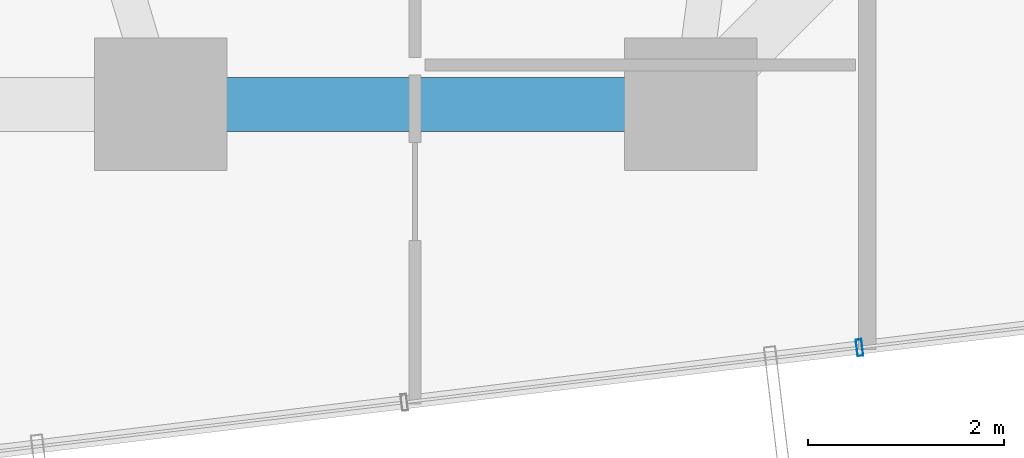
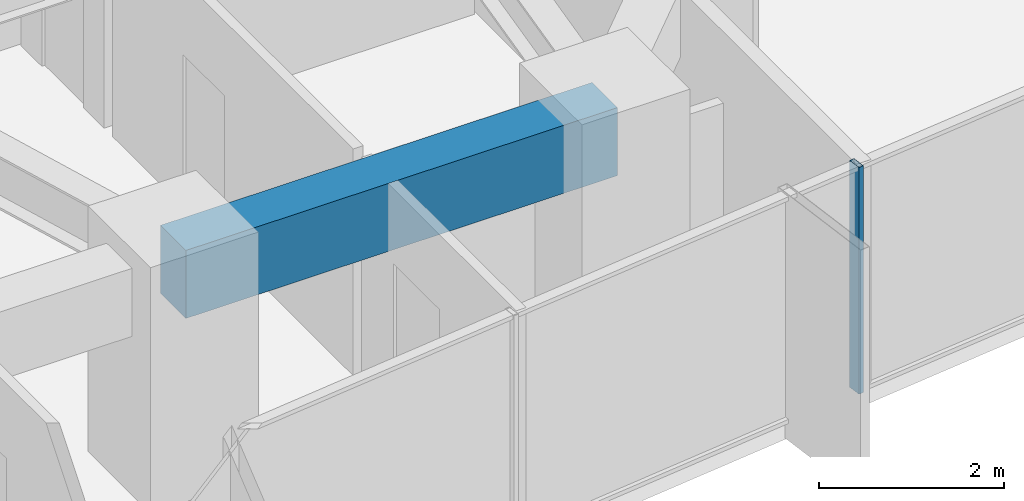
# One storey, part 8 of 37: 1 beam, 1 member, 1 element without a shape of its own.
"""IFC4 building model written with IfcOpenShell, lengths in metres."""

from ifc_helpers import new_model, si_unit, direction, frame, origin, origin_2d, place, context, subcontext, project, spatial, rectangle, hollow_rectangle, extrude, source, transform, mapped, material, layer, layer_set, material_profile, profile_set, type_object, element, aggregate, save


model = new_model("IFC4")

# Units and contexts
model_context = context("Model", 3, precision=1e-05, world=origin(), true_north=direction((0.0, 1.0)))
body_context = subcontext(model_context, "Body", "Model", "MODEL_VIEW")
ifc_project = project(units=[si_unit("LENGTHUNIT", "METRE"), si_unit("AREAUNIT", "SQUARE_METRE"), si_unit("VOLUMEUNIT", "CUBIC_METRE"), si_unit("PLANEANGLEUNIT", "RADIAN"), si_unit("MASSUNIT", "GRAM", prefix="KILO")], contexts=[model_context])

# Site, building, storey
site_placement = place(None, origin())
site = spatial("IfcSite", under=ifc_project, at=site_placement, CompositionType="ELEMENT")
building_placement = place(site_placement, origin())
building = spatial("IfcBuilding", under=site, at=building_placement, Name="Veraguas Prism Commons", CompositionType="ELEMENT")
storey_placement = place(building_placement, frame((0.0, 0.0, 46.800048828125)))
storey = spatial("IfcBuildingStorey", under=building, at=storey_placement, Name="L12", CompositionType="ELEMENT", Elevation=46.800048828125)

# Beam
ifc_material_1 = material(Name="Concrete C50/60", Category="concrete")
ifc_material_profile_1 = material_profile(ifc_material_1, rectangle(XDim=0.550048828125, YDim=0.89990234375, at=origin_2d()), Name="RC550X900")
ifc_profile_set_1 = profile_set([ifc_material_profile_1], Name="Concrete C50/60")
beam_type = type_object("IfcBeamType", Name="Perimeter Spandrel Lower RC 550x900", PredefinedType="SPANDREL", material=ifc_profile_set_1)
beam_placement = place(storey_placement, frame((24.0, 6.39990234375, 2.550048828125), z_axis=(1.0, 0.0, 0.0), x_axis=(0.0, 1.0, 0.0)))
element("IfcBeam", 1, at=beam_placement, inside=storey, type_object=beam_type, Name="Perimeter Spandrel Beam L12-SP11", PredefinedType="SPANDREL", context=body_context, shape_type="SweptSolid", body=[
    extrude(rectangle(XDim=0.550048828125, YDim=0.89990234375, at=origin_2d()), origin(), (0.0, 0.0, 1.0), 5.39990234375),
])

# Curtain wall, member
ifc_material_2 = material(Name="Anodised aluminium EN AW-6063 T6", Category="aluminium")
ifc_layer = layer(ifc_material_2, 0.169921875, Name="Unitised Flush Curtain Wall Zone 1", Category="aluminium")
ifc_layer_set = layer_set([ifc_layer], Name="Anodised aluminium EN AW-6063 T6")
curtain_wall_type = type_object("IfcCurtainWallType", Name="Unitised Flush Curtain Wall Zone 1", PredefinedType="NOTDEFINED", material=ifc_layer_set)
curtain_wall_placement = place(storey_placement, origin())
curtain_wall = element("IfcCurtainWall", 2, at=curtain_wall_placement, inside=storey, type_object=curtain_wall_type, Name="Tower Facade Curtain Wall L12-F5", PredefinedType="NOTDEFINED")
ifc_material_profile_2 = material_profile(ifc_material_2, hollow_rectangle(XDim=0.06005859375, YDim=0.169921875, WallThickness=0.00390625, at=origin_2d()), Name="AL60X170X4")
ifc_profile_set_2 = profile_set([ifc_material_profile_2], Name="Anodised aluminium EN AW-6063 T6")
member_type = type_object("IfcMemberType", Name="Curtain Wall Mullion Lower AL 60x170x4", PredefinedType="MULLION", material=ifc_profile_set_2)
shared_shape = source(origin(), body_context, "Body", "SweptSolid", [
    extrude(hollow_rectangle(XDim=0.06005859375, YDim=0.169921875, WallThickness=0.00390625, at=origin_2d()), origin(), (0.0, 0.0, 1.0), 3.0),
])
member_placement = place(storey_placement, frame((31.1201171875, 3.922119140625, 0.0), z_axis=(0.0, 0.0, 1.0), x_axis=(0.992841388261, 0.119440268573, 0.0)))
member = element("IfcMember", 3, at=member_placement, type_object=member_type, Name="CW-Z1 Mullion 4", PredefinedType="MULLION", context=body_context, shape_type="MappedRepresentation", body=[
    mapped(shared_shape, transform((0.0, 0.0, 0.0), scale=1.0)),
])
aggregate(curtain_wall, [member])

save(model, "model.ifc")
